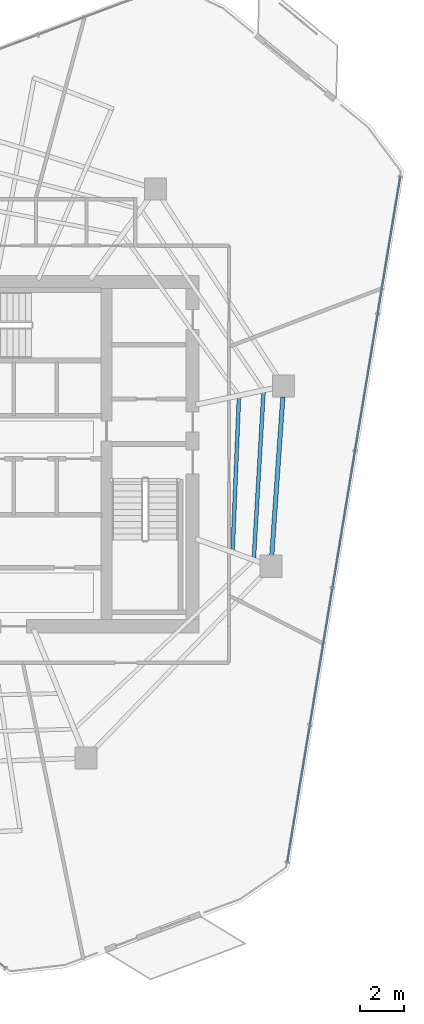
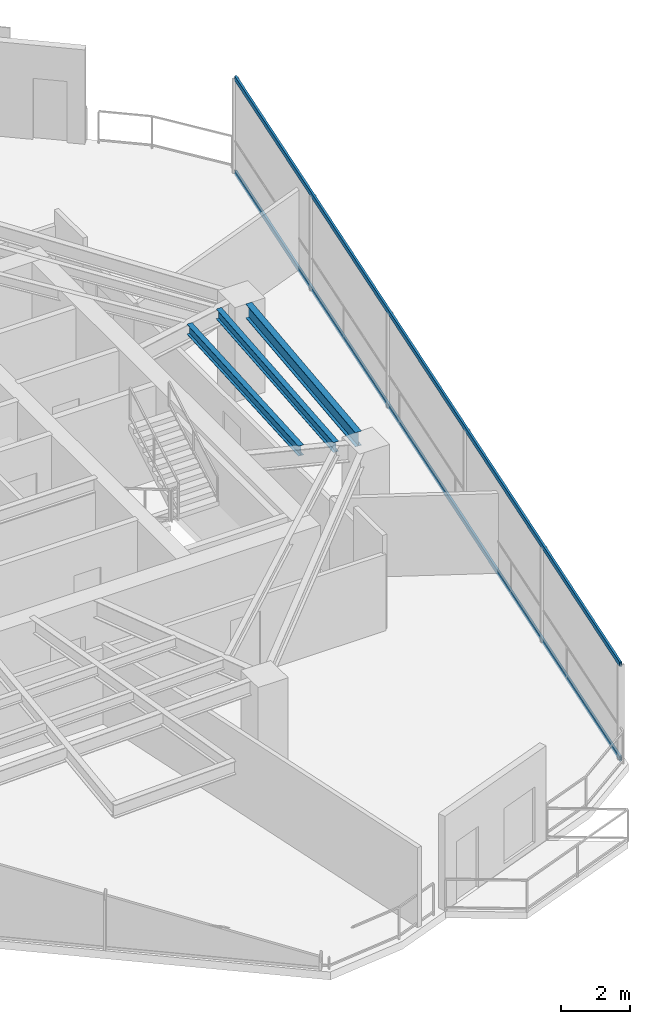
# One storey, part 8 of 19: 3 beams, 2 members, 1 element without a shape of its own.
"""IFC4 building model written with IfcOpenShell, lengths in metres."""

from ifc_helpers import new_model, si_unit, direction, frame, origin, origin_2d, place, context, subcontext, project, spatial, hollow_rectangle, i_section, extrude, material, layer, layer_set, material_profile, profile_set, type_object, element, aggregate, save


model = new_model("IFC4")

# Units and contexts
model_context = context("Model", 3, precision=1e-05, world=origin(), true_north=direction((0.0, 1.0)))
body_context = subcontext(model_context, "Body", "Model", "MODEL_VIEW")
ifc_project = project(units=[si_unit("LENGTHUNIT", "METRE"), si_unit("AREAUNIT", "SQUARE_METRE"), si_unit("VOLUMEUNIT", "CUBIC_METRE"), si_unit("PLANEANGLEUNIT", "RADIAN"), si_unit("MASSUNIT", "GRAM", prefix="KILO")], contexts=[model_context])

# Site, building, storey
site_placement = place(None, origin())
site = spatial("IfcSite", under=ifc_project, at=site_placement, CompositionType="ELEMENT")
building_placement = place(site_placement, origin())
building = spatial("IfcBuilding", under=site, at=building_placement, Name="Qarnah Convention Tower", CompositionType="ELEMENT")
storey_placement = place(building_placement, frame((0.0, 0.0, 143.699951171875)))
storey = spatial("IfcBuildingStorey", under=building, at=storey_placement, Name="L38", CompositionType="ELEMENT", Elevation=143.699951171875)

# Beams
ifc_material_1 = material(Name="Structural steel S355JR", Category="steel")
ifc_material_profile_1 = material_profile(ifc_material_1, i_section(OverallWidth=0.172119140625, OverallDepth=0.35595703125, WebThickness=0.007080078125, FlangeThickness=0.011962890625, at=origin_2d()), Name="W360X51")
ifc_profile_set_1 = profile_set([ifc_material_profile_1], Name="Structural steel S355JR")
beam_type_1 = type_object("IfcBeamType", Name="BM-JST-W360", PredefinedType="JOIST", material=ifc_profile_set_1)
beam_1_placement = place(storey_placement, frame((50.376953125, 21.696044921875, 3.14208984375), z_axis=(0.057977943794, 0.998317864226, 0.0), x_axis=(-0.998317864226, 0.057977943794, 0.0)))
element("IfcBeam", 1, at=beam_1_placement, inside=storey, type_object=beam_type_1, Name="L38 joist BM-L38-SJST-09", PredefinedType="JOIST", context=body_context, shape_type="SweptSolid", body=[
    extrude(i_section(OverallWidth=0.172119140625, OverallDepth=0.35595703125, WebThickness=0.007080078125, FlangeThickness=0.011962890625, at=origin_2d()), origin(), (0.0, 0.0, 1.0), 7.520751953125),
])
beam_2_placement = place(storey_placement, frame((49.4169921875, 22.044921875, 3.14208984375), z_axis=(0.040843398735, 0.999165560245, 0.0), x_axis=(-0.999165560245, 0.040843398735, 0.0)))
element("IfcBeam", 2, at=beam_2_placement, inside=storey, type_object=beam_type_1, Name="L38 joist BM-L38-IJST-09", PredefinedType="JOIST", context=body_context, shape_type="SweptSolid", body=[
    extrude(i_section(OverallWidth=0.172119140625, OverallDepth=0.35595703125, WebThickness=0.007080078125, FlangeThickness=0.011962890625, at=origin_2d()), origin(), (0.0, 0.0, 1.0), 6.927978515625),
])
ifc_material_profile_2 = material_profile(ifc_material_1, i_section(OverallWidth=0.199951171875, OverallDepth=0.5, WebThickness=0.010009765625, FlangeThickness=0.01611328125, at=origin_2d()), Name="IPE500")
ifc_profile_set_2 = profile_set([ifc_material_profile_2], Name="Structural steel S355JR")
beam_type_2 = type_object("IfcBeamType", Name="BM-SPN-IPE500", PredefinedType="SPANDREL", material=ifc_profile_set_2)
beam_3_placement = place(storey_placement, frame((51.18798828125, 21.81005859375, 3.070068359375), z_axis=(0.069797433651, 0.997561185219, 0.0), x_axis=(-0.997561185219, 0.069797433651, 0.0)))
element("IfcBeam", 3, at=beam_3_placement, inside=storey, type_object=beam_type_2, Name="L38 spandrel BM-L38-SPN-09", PredefinedType="SPANDREL", context=body_context, shape_type="SweptSolid", body=[
    extrude(i_section(OverallWidth=0.199951171875, OverallDepth=0.5, WebThickness=0.010009765625, FlangeThickness=0.01611328125, at=origin_2d()), origin(), (0.0, 0.0, 1.0), 7.20556640625),
])

# Curtain wall, members
ifc_material_2 = material(Name="Tempered Low-E dark glass", Category="glass")
ifc_layer = layer(ifc_material_2, 0.172119140625)
ifc_layer_set = layer_set([ifc_layer], Name="Tempered Low-E dark glass")
curtain_wall_type = type_object("IfcCurtainWallType", Name="CWS-03", PredefinedType="NOTDEFINED", material=ifc_layer_set)
curtain_wall_placement = place(storey_placement, origin())
curtain_wall = element("IfcCurtainWall", 4, at=curtain_wall_placement, inside=storey, type_object=curtain_wall_type, Name="L38 unitised curtain wall CW-L38-F3", PredefinedType="NOTDEFINED")
ifc_material_3 = material(Name="Black anodised aluminium", Category="aluminium")
ifc_material_profile_3 = material_profile(ifc_material_3, hollow_rectangle(XDim=0.070068359375, YDim=0.169921875, WallThickness=0.0048828125, at=origin_2d()), Name="TRN-70X170")
ifc_profile_set_3 = profile_set([ifc_material_profile_3], Name="Black anodised aluminium")
member_type = type_object("IfcMemberType", Name="TRN-T3", PredefinedType="USERDEFINED", material=ifc_profile_set_3)
member_1_placement = place(storey_placement, frame((57.011962890625, 38.971923828125, 0.0), z_axis=(-0.162649246355, -0.986683952773, 0.0), x_axis=(0.986683952773, -0.162649246355, 0.0)))
member_1 = element("IfcMember", 5, at=member_1_placement, type_object=member_type, Name="CW-L38-F3 transom 1", ObjectType="TRANSOM", PredefinedType="USERDEFINED", context=body_context, shape_type="SweptSolid", body=[
    extrude(hollow_rectangle(XDim=0.070068359375, YDim=0.169921875, WallThickness=0.0048828125, at=origin_2d()), origin(), (0.0, 0.0, 1.0), 31.47802734375),
])
member_2_placement = place(storey_placement, frame((57.011962890625, 38.971923828125, 3.320068359375), z_axis=(-0.162649246355, -0.986683952773, 0.0), x_axis=(0.986683952773, -0.162649246355, 0.0)))
member_2 = element("IfcMember", 6, at=member_2_placement, type_object=member_type, Name="CW-L38-F3 transom 2", ObjectType="TRANSOM", PredefinedType="USERDEFINED", context=body_context, shape_type="SweptSolid", body=[
    extrude(hollow_rectangle(XDim=0.070068359375, YDim=0.169921875, WallThickness=0.0048828125, at=origin_2d()), origin(), (0.0, 0.0, 1.0), 31.47802734375),
])
aggregate(curtain_wall, [member_1, member_2])

save(model, "model.ifc")
